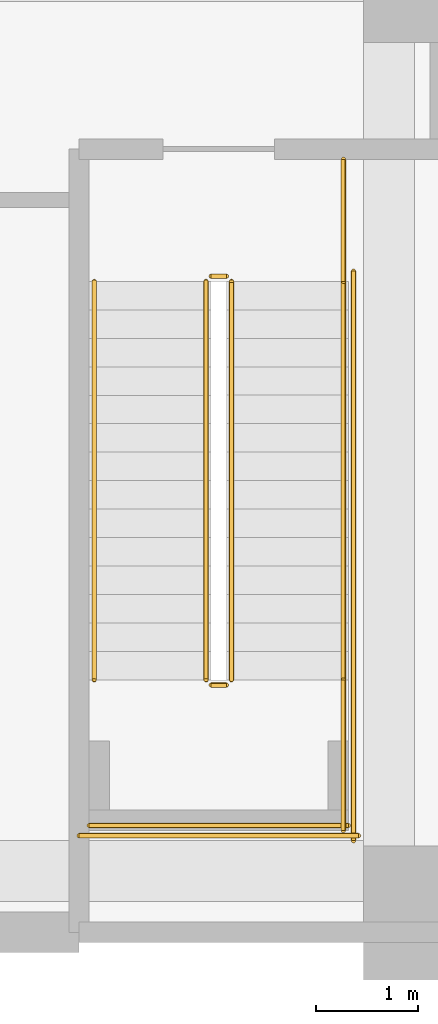
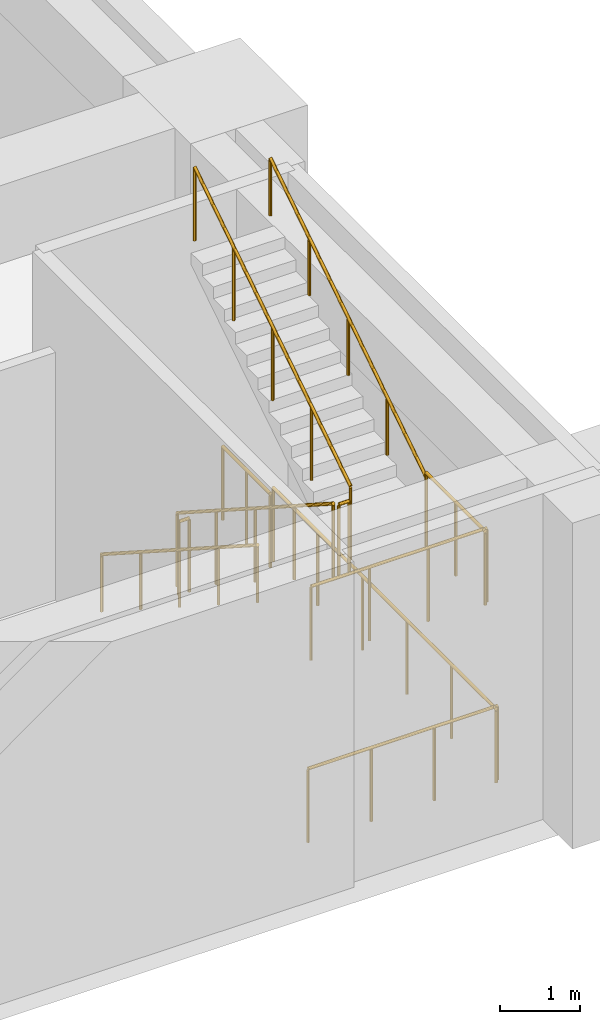
# One storey, part 16 of 20: 11 railings.
"""IFC4 building model written with IfcOpenShell, lengths in metres."""

from ifc_helpers import new_model, si_unit, direction, frame, origin, origin_2d, place, context, subcontext, project, spatial, circle, extrude, material, type_object, element, save


model = new_model("IFC4")

# Units and contexts
model_context = context("Model", 3, precision=1e-05, world=origin(), true_north=direction((0.0, 1.0)))
body_context = subcontext(model_context, "Body", "Model", "MODEL_VIEW")
ifc_project = project(units=[si_unit("LENGTHUNIT", "METRE"), si_unit("AREAUNIT", "SQUARE_METRE"), si_unit("VOLUMEUNIT", "CUBIC_METRE"), si_unit("PLANEANGLEUNIT", "RADIAN"), si_unit("MASSUNIT", "GRAM", prefix="KILO")], contexts=[model_context])

# Site, building, storey
site_placement = place(None, origin())
site = spatial("IfcSite", under=ifc_project, at=site_placement, CompositionType="ELEMENT")
building_placement = place(site_placement, origin())
building = spatial("IfcBuilding", under=site, at=building_placement, Name="Saffron Iwan Residences", CompositionType="ELEMENT")
storey_placement = place(building_placement, frame((0.0, 0.0, -5.39990234375)))
storey = spatial("IfcBuildingStorey", under=building, at=storey_placement, Name="B1", CompositionType="ELEMENT", Elevation=-5.39990234375)

# Railings
ifc_material = material(Name="Steel S355", Category="steel")
railing_type_1 = type_object("IfcRailingType", Name="Podium stair guard 1150", PredefinedType="GUARDRAIL", material=ifc_material)
railing_1_placement = place(storey_placement, frame((98.39990234375, 6.39990234375, 0.179931640625)))
element("IfcRailing", 1, at=railing_1_placement, inside=storey, type_object=railing_type_1, Name="B1 SE2 stair guard 1", PredefinedType="GUARDRAIL", context=body_context, shape_type="SweptSolid", body=[
    extrude(circle(Radius=0.02392578125, at=origin_2d()), frame((0.0, 0.0, 1.1259765625), z_axis=(0.0, -0.841171666519, 0.540768182723), x_axis=(1.0, 0.0, 0.0)), (0.0, 0.0, 1.0), 4.66015625),
    extrude(circle(Radius=0.02099609375, at=origin_2d()), origin(), (0.0, 0.0, 1.0), 1.101806640625),
    extrude(circle(Radius=0.02099609375, at=origin_2d()), frame((0.0, -0.97998046875, 0.6298828125)), (0.0, 0.0, 1.0), 1.101806640625),
    extrude(circle(Radius=0.02099609375, at=origin_2d()), frame((0.0, -1.9599609375, 1.260009765625)), (0.0, 0.0, 1.0), 1.101806640625),
    extrude(circle(Radius=0.02099609375, at=origin_2d()), frame((0.0, -2.93994140625, 1.89013671875)), (0.0, 0.0, 1.0), 1.101806640625),
    extrude(circle(Radius=0.02099609375, at=origin_2d()), frame((0.0, -3.919921875, 2.52001953125)), (0.0, 0.0, 1.0), 1.101806640625),
])
railing_2_placement = place(storey_placement, frame((98.449951171875, 2.429931640625, 2.699951171875)))
element("IfcRailing", 2, at=railing_2_placement, inside=storey, type_object=railing_type_1, Name="B1 SE2 stair guard 2", PredefinedType="GUARDRAIL", context=body_context, shape_type="SweptSolid", body=[
    extrude(circle(Radius=0.02392578125, at=origin_2d()), frame((0.0, 0.0, 1.1259765625), z_axis=(1.0, 0.0, 0.0), x_axis=(0.0, 1.0, 0.0)), (0.0, 0.0, 1.0), 0.150146484375),
    extrude(circle(Radius=0.02099609375, at=origin_2d()), origin(), (0.0, 0.0, 1.0), 1.101806640625),
    extrude(circle(Radius=0.02099609375, at=origin_2d()), frame((0.150146484375, 0.0, 0.0)), (0.0, 0.0, 1.0), 1.101806640625),
])
railing_3_placement = place(storey_placement, frame((99.75, 2.47998046875, 2.699951171875)))
element("IfcRailing", 3, at=railing_3_placement, inside=storey, type_object=railing_type_1, Name="B1 SE2 stair guard 3", PredefinedType="GUARDRAIL", context=body_context, shape_type="SweptSolid", body=[
    extrude(circle(Radius=0.02392578125, at=origin_2d()), frame((0.0, 0.0, 1.1259765625), z_axis=(0.0, -1.0, 0.0), x_axis=(1.0, 0.0, 0.0)), (0.0, 0.0, 1.0), 1.47998046875),
    extrude(circle(Radius=0.02099609375, at=origin_2d()), origin(), (0.0, 0.0, 1.0), 1.101806640625),
    extrude(circle(Radius=0.02099609375, at=origin_2d()), frame((0.0, -0.739990234375, 0.0)), (0.0, 0.0, 1.0), 1.101806640625),
    extrude(circle(Radius=0.02099609375, at=origin_2d()), frame((0.0, -1.47998046875, 0.0)), (0.0, 0.0, 1.0), 1.101806640625),
])
railing_4_placement = place(storey_placement, frame((97.25, 1.050048828125, 2.699951171875)))
element("IfcRailing", 4, at=railing_4_placement, inside=storey, type_object=railing_type_1, Name="B1 SE2 stair guard 4", PredefinedType="GUARDRAIL", context=body_context, shape_type="SweptSolid", body=[
    extrude(circle(Radius=0.02392578125, at=origin_2d()), frame((0.0, 0.0, 1.1259765625), z_axis=(1.0, 0.0, 0.0), x_axis=(0.0, 1.0, 0.0)), (0.0, 0.0, 1.0), 2.550048828125),
    extrude(circle(Radius=0.02099609375, at=origin_2d()), origin(), (0.0, 0.0, 1.0), 1.101806640625),
    extrude(circle(Radius=0.02099609375, at=origin_2d()), frame((0.85009765625, 0.0, 0.0)), (0.0, 0.0, 1.0), 1.101806640625),
    extrude(circle(Radius=0.02099609375, at=origin_2d()), frame((1.699951171875, 0.0, 0.0)), (0.0, 0.0, 1.0), 1.101806640625),
    extrude(circle(Radius=0.02099609375, at=origin_2d()), frame((2.550048828125, 0.0, 0.0)), (0.0, 0.0, 1.0), 1.101806640625),
])
railing_5_placement = place(storey_placement, frame((98.64990234375, 2.47998046875, 2.8798828125)))
element("IfcRailing", 5, at=railing_5_placement, inside=storey, type_object=railing_type_1, Name="B1 SE2 stair guard 5", PredefinedType="GUARDRAIL", context=body_context, shape_type="SweptSolid", body=[
    extrude(circle(Radius=0.02392578125, at=origin_2d()), frame((0.0, 0.0, 1.1259765625), z_axis=(0.0, 0.841171666519, 0.540768182723), x_axis=(-1.0, 0.0, 0.0)), (0.0, 0.0, 1.0), 4.66015625),
    extrude(circle(Radius=0.02099609375, at=origin_2d()), origin(), (0.0, 0.0, 1.0), 1.101806640625),
    extrude(circle(Radius=0.02099609375, at=origin_2d()), frame((0.0, 0.97998046875, 0.6298828125)), (0.0, 0.0, 1.0), 1.101806640625),
    extrude(circle(Radius=0.02099609375, at=origin_2d()), frame((0.0, 1.9599609375, 1.260009765625)), (0.0, 0.0, 1.0), 1.101806640625),
    extrude(circle(Radius=0.02099609375, at=origin_2d()), frame((0.0, 2.93994140625, 1.89013671875)), (0.0, 0.0, 1.0), 1.101806640625),
    extrude(circle(Radius=0.02099609375, at=origin_2d()), frame((0.0, 3.919921875, 2.52001953125)), (0.0, 0.0, 1.0), 1.101806640625),
])
railing_6_placement = place(storey_placement, frame((98.449951171875, 6.449951171875, 0.0)))
element("IfcRailing", 6, at=railing_6_placement, inside=storey, type_object=railing_type_1, Name="B1 SE2 stair guard 6", PredefinedType="GUARDRAIL", context=body_context, shape_type="SweptSolid", body=[
    extrude(circle(Radius=0.02392578125, at=origin_2d()), frame((0.0, 0.0, 1.1259765625), z_axis=(1.0, 0.0, 0.0), x_axis=(0.0, 1.0, 0.0)), (0.0, 0.0, 1.0), 0.150146484375),
    extrude(circle(Radius=0.02099609375, at=origin_2d()), origin(), (0.0, 0.0, 1.0), 1.101806640625),
    extrude(circle(Radius=0.02099609375, at=origin_2d()), frame((0.150146484375, 0.0, 0.0)), (0.0, 0.0, 1.0), 1.101806640625),
])
railing_7_placement = place(storey_placement, frame((99.75, 7.60009765625, 0.0)))
element("IfcRailing", 7, at=railing_7_placement, inside=storey, type_object=railing_type_1, Name="B1 SE2 stair guard 7", PredefinedType="GUARDRAIL", context=body_context, shape_type="SweptSolid", body=[
    extrude(circle(Radius=0.02392578125, at=origin_2d()), frame((0.0, 0.0, 1.1259765625), z_axis=(0.0, -1.0, 0.0), x_axis=(1.0, 0.0, 0.0)), (0.0, 0.0, 1.0), 1.2001953125),
    extrude(circle(Radius=0.02099609375, at=origin_2d()), origin(), (0.0, 0.0, 1.0), 1.101806640625),
    extrude(circle(Radius=0.02099609375, at=origin_2d()), frame((0.0, -0.60009765625, 0.0)), (0.0, 0.0, 1.0), 1.101806640625),
    extrude(circle(Radius=0.02099609375, at=origin_2d()), frame((0.0, -1.2001953125, 0.0)), (0.0, 0.0, 1.0), 1.101806640625),
])
railing_8_placement = place(storey_placement, frame((99.85009765625, 6.5, 0.0)))
element("IfcRailing", 8, at=railing_8_placement, inside=storey, type_object=railing_type_1, Name="B1 SE2 stair guard 8", PredefinedType="GUARDRAIL", context=body_context, shape_type="SweptSolid", body=[
    extrude(circle(Radius=0.02392578125, at=origin_2d()), frame((0.0, 0.0, 1.1259765625), z_axis=(0.0, -1.0, 0.0), x_axis=(1.0, 0.0, 0.0)), (0.0, 0.0, 1.0), 5.60009765625),
    extrude(circle(Radius=0.02099609375, at=origin_2d()), origin(), (0.0, 0.0, 1.0), 1.101806640625),
    extrude(circle(Radius=0.02099609375, at=origin_2d()), frame((0.0, -1.1201171875, 0.0)), (0.0, 0.0, 1.0), 1.101806640625),
    extrude(circle(Radius=0.02099609375, at=origin_2d()), frame((0.0, -2.239990234375, 0.0)), (0.0, 0.0, 1.0), 1.101806640625),
    extrude(circle(Radius=0.02099609375, at=origin_2d()), frame((0.0, -3.360107421875, 0.0)), (0.0, 0.0, 1.0), 1.101806640625),
    extrude(circle(Radius=0.02099609375, at=origin_2d()), frame((0.0, -4.47998046875, 0.0)), (0.0, 0.0, 1.0), 1.101806640625),
    extrude(circle(Radius=0.02099609375, at=origin_2d()), frame((0.0, -5.60009765625, 0.0)), (0.0, 0.0, 1.0), 1.101806640625),
])
railing_9_placement = place(storey_placement, frame((97.14990234375, 0.949951171875, 0.0)))
element("IfcRailing", 9, at=railing_9_placement, inside=storey, type_object=railing_type_1, Name="B1 SE2 stair guard 9", PredefinedType="GUARDRAIL", context=body_context, shape_type="SweptSolid", body=[
    extrude(circle(Radius=0.02392578125, at=origin_2d()), frame((0.0, 0.0, 1.1259765625), z_axis=(1.0, 0.0, 0.0), x_axis=(0.0, 1.0, 0.0)), (0.0, 0.0, 1.0), 2.75),
    extrude(circle(Radius=0.02099609375, at=origin_2d()), origin(), (0.0, 0.0, 1.0), 1.101806640625),
    extrude(circle(Radius=0.02099609375, at=origin_2d()), frame((0.916748046875, 0.0, 0.0)), (0.0, 0.0, 1.0), 1.101806640625),
    extrude(circle(Radius=0.02099609375, at=origin_2d()), frame((1.833251953125, 0.0, 0.0)), (0.0, 0.0, 1.0), 1.101806640625),
    extrude(circle(Radius=0.02099609375, at=origin_2d()), frame((2.75, 0.0, 0.0)), (0.0, 0.0, 1.0), 1.101806640625),
])
railing_type_2 = type_object("IfcRailingType", Name="Podium stair handrail 900", PredefinedType="HANDRAIL", material=ifc_material)
railing_10_placement = place(storey_placement, frame((97.300048828125, 6.39990234375, 0.179931640625)))
element("IfcRailing", 10, at=railing_10_placement, inside=storey, type_object=railing_type_2, Name="B1 SE2 stair handrail 1", PredefinedType="HANDRAIL", context=body_context, shape_type="SweptSolid", body=[
    extrude(circle(Radius=0.02392578125, at=origin_2d()), frame((0.0, 0.0, 0.8759765625), z_axis=(0.0, -0.841171666519, 0.540768182723), x_axis=(1.0, 0.0, 0.0)), (0.0, 0.0, 1.0), 4.66015625),
    extrude(circle(Radius=0.02099609375, at=origin_2d()), origin(), (0.0, 0.0, 1.0), 0.851806640625),
    extrude(circle(Radius=0.02099609375, at=origin_2d()), frame((0.0, -0.97998046875, 0.6298828125)), (0.0, 0.0, 1.0), 0.851806640625),
    extrude(circle(Radius=0.02099609375, at=origin_2d()), frame((0.0, -1.9599609375, 1.260009765625)), (0.0, 0.0, 1.0), 0.851806640625),
    extrude(circle(Radius=0.02099609375, at=origin_2d()), frame((0.0, -2.93994140625, 1.89013671875)), (0.0, 0.0, 1.0), 0.851806640625),
    extrude(circle(Radius=0.02099609375, at=origin_2d()), frame((0.0, -3.919921875, 2.52001953125)), (0.0, 0.0, 1.0), 0.851806640625),
])
railing_11_placement = place(storey_placement, frame((99.75, 2.47998046875, 2.8798828125)))
element("IfcRailing", 11, at=railing_11_placement, inside=storey, type_object=railing_type_2, Name="B1 SE2 stair handrail 2", PredefinedType="HANDRAIL", context=body_context, shape_type="SweptSolid", body=[
    extrude(circle(Radius=0.02392578125, at=origin_2d()), frame((0.0, 0.0, 0.8759765625), z_axis=(0.0, 0.841171666519, 0.540768182723), x_axis=(-1.0, 0.0, 0.0)), (0.0, 0.0, 1.0), 4.66015625),
    extrude(circle(Radius=0.02099609375, at=origin_2d()), origin(), (0.0, 0.0, 1.0), 0.851806640625),
    extrude(circle(Radius=0.02099609375, at=origin_2d()), frame((0.0, 0.97998046875, 0.6298828125)), (0.0, 0.0, 1.0), 0.851806640625),
    extrude(circle(Radius=0.02099609375, at=origin_2d()), frame((0.0, 1.9599609375, 1.260009765625)), (0.0, 0.0, 1.0), 0.851806640625),
    extrude(circle(Radius=0.02099609375, at=origin_2d()), frame((0.0, 2.93994140625, 1.89013671875)), (0.0, 0.0, 1.0), 0.851806640625),
    extrude(circle(Radius=0.02099609375, at=origin_2d()), frame((0.0, 3.919921875, 2.52001953125)), (0.0, 0.0, 1.0), 0.851806640625),
])

save(model, "model.ifc")
